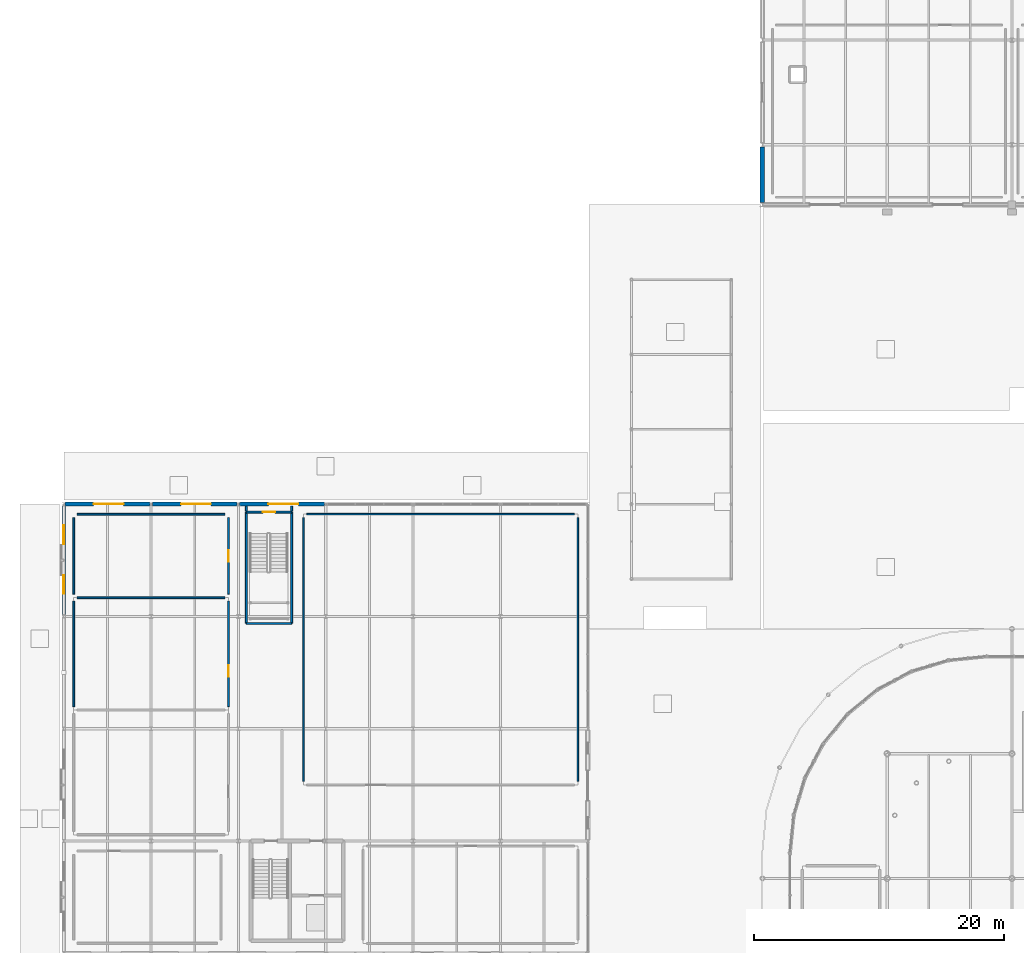
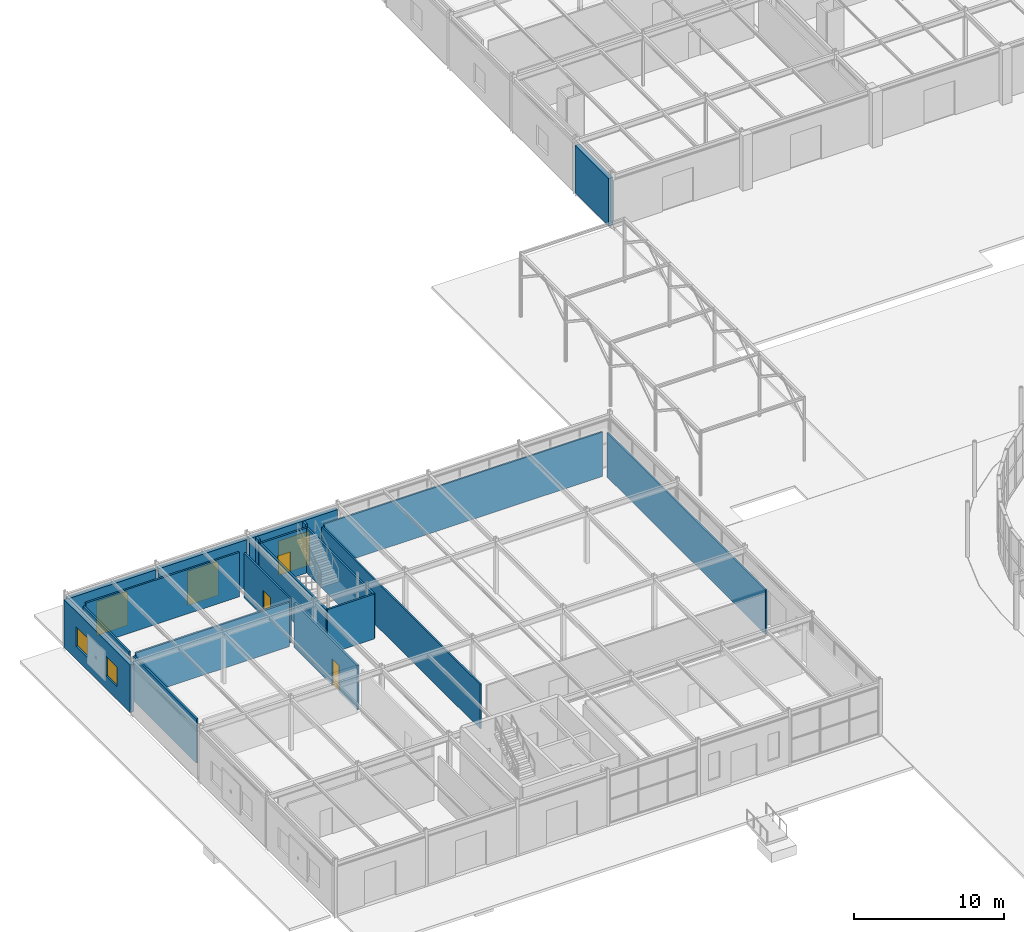
# One storey, part 90 of 119: 20 walls, 6 doors, 2 windows, 8 openings.
"""IFC4 building model written with IfcOpenShell, lengths in metres."""

from ifc_helpers import new_model, si_unit, derived_unit, direction, frame, frame_2d, origin, place, context, subcontext, project, spatial, rectangle, extrude, material, layer, layer_set, type_object, element, fill, save


model = new_model("IFC4")

# Units and contexts
model_context = context("Model", 3, precision=1e-05, world=origin(), true_north=direction((0.0, 1.0)))
body_context = subcontext(model_context, "Body", "Model", "MODEL_VIEW")
ifc_project = project(units=[si_unit("LENGTHUNIT", "METRE"), si_unit("AREAUNIT", "SQUARE_METRE"), si_unit("VOLUMEUNIT", "CUBIC_METRE"), si_unit("PLANEANGLEUNIT", "RADIAN"), si_unit("MASSUNIT", "GRAM", prefix="KILO"), derived_unit("THERMALTRANSMITTANCEUNIT", [(si_unit("POWERUNIT", "WATT"), 1), (si_unit("LENGTHUNIT", "METRE"), -2), (si_unit("THERMODYNAMICTEMPERATUREUNIT", "KELVIN"), -1)])], contexts=[model_context])

# Site, building, storey
site_placement = place(None, origin())
site = spatial("IfcSite", under=ifc_project, at=site_placement, CompositionType="ELEMENT")
building_placement = place(site_placement, origin())
building = spatial("IfcBuilding", under=site, at=building_placement, Name="Cinnabar Yard Market Hall", CompositionType="ELEMENT")
storey_placement = place(building_placement, origin())
storey = spatial("IfcBuildingStorey", under=building, at=storey_placement, Name="L00", CompositionType="ELEMENT", Elevation=0.0)

# Walls
ifc_material_1 = material(Name="Acoustic steel-stud plasterboard", Category="steel")
ifc_layer_1 = layer(ifc_material_1, 0.1201171875)
ifc_layer_set_1 = layer_set([ifc_layer_1], Name="Acoustic steel-stud plasterboard")
wall_type_1 = type_object("IfcWallType", Name="WL-PT120", PredefinedType="PARTITIONING", material=ifc_layer_set_1)
wall_1_placement = place(storey_placement, frame((51.199951171875, 61.780029296875, 0.0), z_axis=(0.0, 0.0, 1.0), x_axis=(0.0, 1.0, 0.0)))
element("IfcWall", 1, at=wall_1_placement, inside=storey, type_object=wall_type_1, Name="Partition Food Court Dining Hall east", PredefinedType="PARTITIONING", context=body_context, shape_type="SweptSolid", body=[
    extrude(rectangle(XDim=21.139892578125, YDim=0.1201171875, at=frame_2d((10.56982421875, 0.0), x_axis=(1.0, 0.0))), origin(), (0.0, 0.0, 1.0), 3.6201171875),
])
wall_2_placement = place(storey_placement, frame((50.919921875, 83.199951171875, 0.0), z_axis=(0.0, 0.0, 1.0), x_axis=(-1.0, 0.0, 0.0)))
element("IfcWall", 2, at=wall_2_placement, inside=storey, type_object=wall_type_1, Name="Partition Food Court Dining Hall north", PredefinedType="PARTITIONING", context=body_context, shape_type="SweptSolid", body=[
    extrude(rectangle(XDim=21.43994140625, YDim=0.1201171875, at=frame_2d((10.719970703125, 0.0), x_axis=(1.0, 0.0))), origin(), (0.0, 0.0, 1.0), 3.6201171875),
])
wall_3_placement = place(storey_placement, frame((29.199951171875, 82.919921875, 0.0), z_axis=(0.0, 0.0, 1.0), x_axis=(0.0, -1.0, 0.0)))
element("IfcWall", 3, at=wall_3_placement, inside=storey, type_object=wall_type_1, Name="Partition Food Court Dining Hall west", PredefinedType="PARTITIONING", context=body_context, shape_type="SweptSolid", body=[
    extrude(rectangle(XDim=21.139892578125, YDim=0.1201171875, at=frame_2d((10.56982421875, 0.0), x_axis=(1.0, 0.0))), origin(), (0.0, 0.0, 1.0), 3.6201171875),
])

# Wall, opening, door
ifc_material_2 = material(Name="Moisture-resistant tiled service wall")
ifc_layer_2 = layer(ifc_material_2, 0.139892578125)
ifc_layer_set_2 = layer_set([ifc_layer_2], Name="Moisture-resistant tiled service wall")
wall_type_2 = type_object("IfcWallType", Name="WL-PT140", PredefinedType="PLUMBINGWALL", material=ifc_layer_set_2)
wall_4_placement = place(storey_placement, frame((23.199951171875, 67.780029296875, 0.0), z_axis=(0.0, 0.0, 1.0), x_axis=(0.0, 1.0, 0.0)))
wall_4 = element("IfcWall", 4, at=wall_4_placement, inside=storey, type_object=wall_type_2, Name="Partition Commercial Kitchen West 02 east", PredefinedType="PLUMBINGWALL", context=body_context, shape_type="SweptSolid", body=[
    extrude(rectangle(XDim=8.43994140625, YDim=0.139892578125, at=frame_2d((4.219970703125, 0.0), x_axis=(1.0, 0.0))), origin(), (0.0, 0.0, 1.0), 3.6201171875),
])
opening_1_placement = place(wall_4_placement, frame((2.406494140625, 0.0, 0.0)))
opening_1 = element("IfcOpeningElement", 5, at=opening_1_placement, cuts=wall_4, Name="Opening ID-127", PredefinedType="OPENING", context=body_context, shape_type="SweptSolid", body=[
    extrude(rectangle(XDim=0.919921875, YDim=2.14990234375, at=frame_2d((0.4599609375, 1.074951171875), x_axis=(1.0, 0.0))), frame((0.0, 0.079833984375, 0.0), z_axis=(0.0, -1.0, 0.0), x_axis=(1.0, 0.0, 0.0)), (0.0, 0.0, 1.0), 0.159912109375),
])
ifc_material_3 = material(Name="Solid-core spotted gum timber", Category="wood")
door_type_1 = type_object("IfcDoorType", Name="DR-D07", OperationType="NOTDEFINED", PredefinedType="DOOR", material=ifc_material_3)
door_1_placement = place(opening_1_placement, origin())
door_1 = element("IfcDoor", 6, at=door_1_placement, inside=storey, type_object=door_type_1, Name="Interior Door ID-127", OperationType="SINGLE_SWING_RIGHT", OverallHeight=2.14990234375, OverallWidth=0.919921875, PredefinedType="DOOR", context=body_context, shape_type="SweptSolid", body=[
    extrude(rectangle(XDim=0.919921875, YDim=2.14990234375, at=frame_2d((0.4599609375, 1.074951171875), x_axis=(1.0, 0.0))), frame((0.0, 0.02490234375, 0.0), z_axis=(0.0, -1.0, 0.0), x_axis=(1.0, 0.0, 0.0)), (0.0, 0.0, 1.0), 0.050048828125),
])
fill(opening_1, door_1)

# Walls
wall_5_placement = place(storey_placement, frame((22.919921875, 76.5, 0.0), z_axis=(0.0, 0.0, 1.0), x_axis=(-1.0, 0.0, 0.0)))
element("IfcWall", 7, at=wall_5_placement, inside=storey, type_object=wall_type_2, Name="Partition Commercial Kitchen West 02 north", PredefinedType="PLUMBINGWALL", context=body_context, shape_type="SweptSolid", body=[
    extrude(rectangle(XDim=11.83984375, YDim=0.139892578125, at=frame_2d((5.919921875, 0.0), x_axis=(1.0, 0.0))), origin(), (0.0, 0.0, 1.0), 3.6201171875),
])
wall_6_placement = place(storey_placement, frame((10.800048828125, 76.219970703125, 0.0), z_axis=(0.0, 0.0, 1.0), x_axis=(0.0, -1.0, 0.0)))
element("IfcWall", 8, at=wall_6_placement, inside=storey, type_object=wall_type_2, Name="Partition Commercial Kitchen West 02 west", PredefinedType="PLUMBINGWALL", context=body_context, shape_type="SweptSolid", body=[
    extrude(rectangle(XDim=8.43994140625, YDim=0.139892578125, at=frame_2d((4.219970703125, 0.0), x_axis=(1.0, 0.0))), origin(), (0.0, 0.0, 1.0), 3.6201171875),
])

# Wall, opening, door
wall_7_placement = place(storey_placement, frame((23.199951171875, 76.780029296875, 0.0), z_axis=(0.0, 0.0, 1.0), x_axis=(0.0, 1.0, 0.0)))
wall_7 = element("IfcWall", 9, at=wall_7_placement, inside=storey, type_object=wall_type_2, Name="Partition Central Scullery and Dishwash Room east", PredefinedType="PLUMBINGWALL", context=body_context, shape_type="SweptSolid", body=[
    extrude(rectangle(XDim=6.139892578125, YDim=0.139892578125, at=frame_2d((3.06982421875, 0.0), x_axis=(1.0, 0.0))), origin(), (0.0, 0.0, 1.0), 3.6201171875),
])
opening_2_placement = place(wall_7_placement, frame((2.594970703125, 0.0, 0.0)))
opening_2 = element("IfcOpeningElement", 10, at=opening_2_placement, cuts=wall_7, Name="Opening ID-128", PredefinedType="OPENING", context=body_context, shape_type="SweptSolid", body=[
    extrude(rectangle(XDim=0.949951171875, YDim=2.14990234375, at=frame_2d((0.47509765625, 1.074951171875), x_axis=(1.0, 0.0))), frame((0.0, 0.079833984375, 0.0), z_axis=(0.0, -1.0, 0.0), x_axis=(1.0, 0.0, 0.0)), (0.0, 0.0, 1.0), 0.159912109375),
])
door_type_2 = type_object("IfcDoorType", Name="DR-D06", OperationType="NOTDEFINED", PredefinedType="DOOR", material=ifc_material_3)
door_2_placement = place(opening_2_placement, origin())
door_2 = element("IfcDoor", 11, at=door_2_placement, inside=storey, type_object=door_type_2, Name="Interior Door ID-128", OperationType="SINGLE_SWING_LEFT", OverallHeight=2.14990234375, OverallWidth=0.949951171875, PredefinedType="DOOR", context=body_context, shape_type="SweptSolid", body=[
    extrude(rectangle(XDim=0.949951171875, YDim=2.14990234375, at=frame_2d((0.47509765625, 1.074951171875), x_axis=(1.0, 0.0))), frame((0.0, 0.02490234375, 0.0), z_axis=(0.0, -1.0, 0.0), x_axis=(1.0, 0.0, 0.0)), (0.0, 0.0, 1.0), 0.050048828125),
])
fill(opening_2, door_2)

# Walls
wall_8_placement = place(storey_placement, frame((22.919921875, 83.199951171875, 0.0), z_axis=(0.0, 0.0, 1.0), x_axis=(-1.0, 0.0, 0.0)))
element("IfcWall", 12, at=wall_8_placement, inside=storey, type_object=wall_type_2, Name="Partition Central Scullery and Dishwash Room north", PredefinedType="PLUMBINGWALL", context=body_context, shape_type="SweptSolid", body=[
    extrude(rectangle(XDim=11.83984375, YDim=0.139892578125, at=frame_2d((5.919921875, 0.0), x_axis=(1.0, 0.0))), origin(), (0.0, 0.0, 1.0), 3.6201171875),
])
wall_9_placement = place(storey_placement, frame((10.800048828125, 82.919921875, 0.0), z_axis=(0.0, 0.0, 1.0), x_axis=(0.0, -1.0, 0.0)))
element("IfcWall", 13, at=wall_9_placement, inside=storey, type_object=wall_type_2, Name="Partition Central Scullery and Dishwash Room west", PredefinedType="PLUMBINGWALL", context=body_context, shape_type="SweptSolid", body=[
    extrude(rectangle(XDim=6.139892578125, YDim=0.139892578125, at=frame_2d((3.06982421875, 0.0), x_axis=(1.0, 0.0))), origin(), (0.0, 0.0, 1.0), 3.6201171875),
])
ifc_material_4 = material(Name="Fire-rated steel-stud plasterboard", Category="steel")
ifc_layer_3 = layer(ifc_material_4, 0.14990234375)
ifc_layer_set_3 = layer_set([ifc_layer_3], Name="Fire-rated steel-stud plasterboard")
wall_type_3 = type_object("IfcWallType", Name="WL-PT150", PredefinedType="PARTITIONING", material=ifc_layer_set_3)
for number, where, z_axis, x_axis, name in (
    (14, (24.639892578125, 83.360107421875, 0.0), (0.0, 0.0, 1.0), (0.0, -1.0, 0.0), "Stair ST-F3 Shaft Wall W L00"),
    (15, (28.260009765625, 74.43994140625, 0.0), (0.0, 0.0, 1.0), (0.0, 1.0, 0.0), "Stair ST-F3 Shaft Wall E L00"),
):
    element("IfcWall", number, at=place(storey_placement, frame(where, z_axis=z_axis, x_axis=x_axis)), inside=storey, type_object=wall_type_3, Name=name, PredefinedType="PARTITIONING", context=body_context, shape_type="SweptSolid", body=[
        extrude(rectangle(XDim=8.920166015625, YDim=0.14990234375, at=frame_2d((4.4599609375, 0.0), x_axis=(1.0, 0.0))), origin(), (0.0, 0.0, 1.0), 3.659912109375),
    ])
wall_10_placement = place(storey_placement, frame((24.639892578125, 74.43994140625, 0.0), z_axis=(0.0, 0.0, 1.0), x_axis=(1.0, 0.0, 0.0)))
element("IfcWall", 16, at=wall_10_placement, inside=storey, type_object=wall_type_3, Name="Stair ST-F3 Shaft Wall S L00", PredefinedType="PARTITIONING", context=body_context, shape_type="SweptSolid", body=[
    extrude(rectangle(XDim=3.6201171875, YDim=0.14990234375, at=frame_2d((1.81005859375, 0.0), x_axis=(1.0, 0.0))), origin(), (0.0, 0.0, 1.0), 3.659912109375),
])

# Wall, opening, door
wall_11_placement = place(storey_placement, frame((28.260009765625, 83.360107421875, 0.0), z_axis=(0.0, 0.0, 1.0), x_axis=(-1.0, 0.0, 0.0)))
wall_11 = element("IfcWall", 17, at=wall_11_placement, inside=storey, type_object=wall_type_3, Name="Stair ST-F3 Shaft Wall N L00", PredefinedType="PARTITIONING", context=body_context, shape_type="SweptSolid", body=[
    extrude(rectangle(XDim=3.6201171875, YDim=0.14990234375, at=frame_2d((1.81005859375, 0.0), x_axis=(1.0, 0.0))), origin(), (0.0, 0.0, 1.0), 3.659912109375),
])
opening_3_placement = place(wall_11_placement, frame((1.31005859375, 0.0, 0.0)))
opening_3 = element("IfcOpeningElement", 18, at=opening_3_placement, cuts=wall_11, Name="Opening CD-071", PredefinedType="OPENING", context=body_context, shape_type="SweptSolid", body=[
    extrude(rectangle(XDim=1.0, YDim=2.14990234375, at=frame_2d((0.5, 1.074951171875), x_axis=(1.0, 0.0))), frame((0.0, 0.0849609375, 0.0), z_axis=(0.0, -1.0, 0.0), x_axis=(1.0, 0.0, 0.0)), (0.0, 0.0, 1.0), 0.169921875),
])
door_type_3 = type_object("IfcDoorType", Name="DR-D05", OperationType="NOTDEFINED", PredefinedType="DOOR", material=ifc_material_3)
door_3_placement = place(opening_3_placement, origin())
door_3 = element("IfcDoor", 19, at=door_3_placement, inside=storey, type_object=door_type_3, Name="Stair Door CD-071", OperationType="SINGLE_SWING_LEFT", OverallHeight=2.14990234375, OverallWidth=1.0, PredefinedType="DOOR", context=body_context, shape_type="SweptSolid", body=[
    extrude(rectangle(XDim=1.0, YDim=2.14990234375, at=frame_2d((0.5, 1.074951171875), x_axis=(1.0, 0.0))), frame((0.0, 0.02490234375, 0.0), z_axis=(0.0, -1.0, 0.0), x_axis=(1.0, 0.0, 0.0)), (0.0, 0.0, 1.0), 0.050048828125),
])
fill(opening_3, door_3)

# Walls
for number, where, z_axis, x_axis, name in (
    (20, (24.639892578125, 83.840087890625, 0.0), (0.0, 0.0, 1.0), (0.0, -1.0, 0.0), "Protected Exit Lobby STF3 W"),
    (21, (28.260009765625, 83.43994140625, 0.0), (0.0, 0.0, 1.0), (0.0, 1.0, 0.0), "Protected Exit Lobby STF3 E"),
):
    element("IfcWall", number, at=place(storey_placement, frame(where, z_axis=z_axis, x_axis=x_axis)), inside=storey, type_object=wall_type_3, Name=name, PredefinedType="PARTITIONING", context=body_context, shape_type="SweptSolid", body=[
        extrude(rectangle(XDim=0.400146484375, YDim=0.14990234375, at=frame_2d((0.2001953125, 0.0), x_axis=(1.0, 0.0))), origin(), (0.0, 0.0, 1.0), 3.860107421875),
    ])
ifc_material_5 = material(Name="Red sandstone ashlar over Concrete 32 MPa", Category="masonry")
ifc_layer_4 = layer(ifc_material_5, 0.35009765625)
ifc_layer_set_4 = layer_set([ifc_layer_4], Name="Red sandstone ashlar over Concrete 32 MPa")
wall_type_4 = type_object("IfcWallType", Name="WL-W-EXT1", PredefinedType="SOLIDWALL", material=ifc_layer_set_4)
wall_12_placement = place(storey_placement, frame((66.0, 112.6357421875, 0.0), z_axis=(0.0, 0.0, 1.0), x_axis=(0.0, -1.0, 0.0)))
element("IfcWall", 22, at=wall_12_placement, inside=storey, type_object=wall_type_4, Name="Wing West End Wall L00 Seg 1", PredefinedType="SOLIDWALL", context=body_context, shape_type="SweptSolid", body=[
    extrude(rectangle(XDim=4.4658203125, YDim=0.35009765625, at=frame_2d((2.23291015625, 0.0), x_axis=(1.0, 0.0))), origin(), (0.0, 0.0, 1.0), 3.8798828125),
])

# Wall, opening, door
ifc_material_6 = material(Name="Cream limestone and Concrete 32 MPa", Category="masonry")
ifc_layer_5 = layer(ifc_material_6, 0.320068359375)
ifc_layer_set_5 = layer_set([ifc_layer_5], Name="Cream limestone and Concrete 32 MPa")
wall_type_5 = type_object("IfcWallType", Name="WL-W-EXT2", PredefinedType="SOLIDWALL", material=ifc_layer_set_5)
wall_13_placement = place(storey_placement, frame((16.89990234375, 84.0, 0.0), z_axis=(0.0, 0.0, 1.0), x_axis=(-1.0, 0.0, 0.0)))
wall_13 = element("IfcWall", 23, at=wall_13_placement, inside=storey, type_object=wall_type_5, Name="Pavilion North Wall L00 Bay 1", PredefinedType="SOLIDWALL", context=body_context, shape_type="SweptSolid", body=[
    extrude(rectangle(XDim=6.7998046875, YDim=0.320068359375, at=frame_2d((3.39990234375, 0.0), x_axis=(1.0, 0.0))), origin(), (0.0, 0.0, 1.0), 3.8798828125),
])
opening_4_placement = place(wall_13_placement, frame((2.10009765625, 0.0, 0.0)))
opening_4 = element("IfcOpeningElement", 24, at=opening_4_placement, cuts=wall_13, Name="Opening ED-014", PredefinedType="OPENING", context=body_context, shape_type="SweptSolid", body=[
    extrude(rectangle(XDim=2.39990234375, YDim=2.800048828125, at=frame_2d((1.199951171875, 1.39990234375), x_axis=(1.0, 0.0))), frame((0.0, 0.169921875, 0.0), z_axis=(0.0, -1.0, 0.0), x_axis=(1.0, 0.0, 0.0)), (0.0, 0.0, 1.0), 0.340087890625),
])
ifc_material_7 = material(Name="Anodised bronze aluminium and toughened glass", Category="aluminium")
door_type_4 = type_object("IfcDoorType", Name="DR-D02", OperationType="NOTDEFINED", PredefinedType="DOOR", material=ifc_material_7)
door_4_placement = place(opening_4_placement, origin())
door_4 = element("IfcDoor", 25, at=door_4_placement, inside=storey, type_object=door_type_4, Name="Door ED-014", OperationType="DOUBLE_SWING_RIGHT", OverallHeight=2.800048828125, OverallWidth=2.39990234375, PredefinedType="DOOR", context=body_context, shape_type="SweptSolid", body=[
    extrude(rectangle(XDim=2.39990234375, YDim=2.800048828125, at=frame_2d((1.199951171875, 1.39990234375), x_axis=(1.0, 0.0))), frame((0.0, 0.02490234375, 0.0), z_axis=(0.0, -1.0, 0.0), x_axis=(1.0, 0.0, 0.0)), (0.0, 0.0, 1.0), 0.050048828125),
])
fill(opening_4, door_4)

wall_14_placement = place(storey_placement, frame((23.89990234375, 84.0, 0.0), z_axis=(0.0, 0.0, 1.0), x_axis=(-1.0, 0.0, 0.0)))
wall_14 = element("IfcWall", 26, at=wall_14_placement, inside=storey, type_object=wall_type_5, Name="Pavilion North Wall L00 Bay 2", PredefinedType="SOLIDWALL", context=body_context, shape_type="SweptSolid", body=[
    extrude(rectangle(XDim=6.7998046875, YDim=0.320068359375, at=frame_2d((3.39990234375, 0.0), x_axis=(1.0, 0.0))), origin(), (0.0, 0.0, 1.0), 3.8798828125),
])
opening_5_placement = place(wall_14_placement, frame((2.10009765625, 0.0, 0.0)))
opening_5 = element("IfcOpeningElement", 27, at=opening_5_placement, cuts=wall_14, Name="Opening ED-016", PredefinedType="OPENING", context=body_context, shape_type="SweptSolid", body=[
    extrude(rectangle(XDim=2.39990234375, YDim=2.800048828125, at=frame_2d((1.199951171875, 1.39990234375), x_axis=(1.0, 0.0))), frame((0.0, 0.169921875, 0.0), z_axis=(0.0, -1.0, 0.0), x_axis=(1.0, 0.0, 0.0)), (0.0, 0.0, 1.0), 0.340087890625),
])
door_5_placement = place(opening_5_placement, origin())
door_5 = element("IfcDoor", 28, at=door_5_placement, inside=storey, type_object=door_type_4, Name="Door ED-016", OperationType="DOUBLE_SWING_RIGHT", OverallHeight=2.800048828125, OverallWidth=2.39990234375, PredefinedType="DOOR", context=body_context, shape_type="SweptSolid", body=[
    extrude(rectangle(XDim=2.39990234375, YDim=2.800048828125, at=frame_2d((1.199951171875, 1.39990234375), x_axis=(1.0, 0.0))), frame((0.0, 0.02490234375, 0.0), z_axis=(0.0, -1.0, 0.0), x_axis=(1.0, 0.0, 0.0)), (0.0, 0.0, 1.0), 0.050048828125),
])
fill(opening_5, door_5)

wall_15_placement = place(storey_placement, frame((30.89990234375, 84.0, 0.0), z_axis=(0.0, 0.0, 1.0), x_axis=(-1.0, 0.0, 0.0)))
wall_15 = element("IfcWall", 29, at=wall_15_placement, inside=storey, type_object=wall_type_5, Name="Pavilion North Wall L00 Bay 3", PredefinedType="SOLIDWALL", context=body_context, shape_type="SweptSolid", body=[
    extrude(rectangle(XDim=6.7998046875, YDim=0.320068359375, at=frame_2d((3.39990234375, 0.0), x_axis=(1.0, 0.0))), origin(), (0.0, 0.0, 1.0), 3.8798828125),
])
opening_6_placement = place(wall_15_placement, frame((2.10009765625, 0.0, 0.0)))
opening_6 = element("IfcOpeningElement", 30, at=opening_6_placement, cuts=wall_15, Name="Opening ED-018", PredefinedType="OPENING", context=body_context, shape_type="SweptSolid", body=[
    extrude(rectangle(XDim=2.39990234375, YDim=2.800048828125, at=frame_2d((1.199951171875, 1.39990234375), x_axis=(1.0, 0.0))), frame((0.0, 0.169921875, 0.0), z_axis=(0.0, -1.0, 0.0), x_axis=(1.0, 0.0, 0.0)), (0.0, 0.0, 1.0), 0.340087890625),
])
door_6_placement = place(opening_6_placement, origin())
door_6 = element("IfcDoor", 31, at=door_6_placement, inside=storey, type_object=door_type_4, Name="Door ED-018", OperationType="DOUBLE_SWING_RIGHT", OverallHeight=2.800048828125, OverallWidth=2.39990234375, PredefinedType="DOOR", context=body_context, shape_type="SweptSolid", body=[
    extrude(rectangle(XDim=2.39990234375, YDim=2.800048828125, at=frame_2d((1.199951171875, 1.39990234375), x_axis=(1.0, 0.0))), frame((0.0, 0.02490234375, 0.0), z_axis=(0.0, -1.0, 0.0), x_axis=(1.0, 0.0, 0.0)), (0.0, 0.0, 1.0), 0.050048828125),
])
fill(opening_6, door_6)

# Wall, openings, windows
wall_16_placement = place(storey_placement, frame((10.0, 83.89990234375, 0.0), z_axis=(0.0, 0.0, 1.0), x_axis=(0.0, -1.0, 0.0)))
wall_16 = element("IfcWall", 32, at=wall_16_placement, inside=storey, type_object=wall_type_5, Name="Pavilion West Wall L00 Bay 4", PredefinedType="SOLIDWALL", context=body_context, shape_type="SweptSolid", body=[
    extrude(rectangle(XDim=8.7998046875, YDim=0.320068359375, at=frame_2d((4.39990234375, 0.0), x_axis=(1.0, 0.0))), origin(), (0.0, 0.0, 1.0), 3.8798828125),
])
opening_7_placement = place(wall_16_placement, frame((1.60009765625, 0.0, 1.050048828125)))
opening_7 = element("IfcOpeningElement", 33, at=opening_7_placement, cuts=wall_16, Name="Opening W03", PredefinedType="OPENING", context=body_context, shape_type="SweptSolid", body=[
    extrude(rectangle(XDim=1.5, YDim=1.60009765625, at=frame_2d((0.75, 0.800048828125), x_axis=(1.0, 0.0))), frame((0.0, 0.169921875, 0.0), z_axis=(0.0, -1.0, 0.0), x_axis=(1.0, 0.0, 0.0)), (0.0, 0.0, 1.0), 0.340087890625),
])
opening_8_placement = place(wall_16_placement, frame((5.580078125, 0.0, 1.050048828125)))
opening_8 = element("IfcOpeningElement", 34, at=opening_8_placement, cuts=wall_16, Name="Opening W03", PredefinedType="OPENING", context=body_context, shape_type="SweptSolid", body=[
    extrude(rectangle(XDim=1.5, YDim=1.60009765625, at=frame_2d((0.75, 0.800048828125), x_axis=(1.0, 0.0))), frame((0.0, 0.169921875, 0.0), z_axis=(0.0, -1.0, 0.0), x_axis=(1.0, 0.0, 0.0)), (0.0, 0.0, 1.0), 0.340087890625),
])
ifc_material_8 = material(Name="Low-E double glazing in bronze aluminium", Category="aluminium")
window_type = type_object("IfcWindowType", Name="WN-W03", PartitioningType="SINGLE_PANEL", PredefinedType="WINDOW", material=ifc_material_8)
window_1_placement = place(opening_7_placement, origin())
window_1 = element("IfcWindow", 35, at=window_1_placement, inside=storey, type_object=window_type, Name="Window WN-V2W-L00-4A", OverallHeight=1.60009765625, OverallWidth=1.5, PartitioningType="SINGLE_PANEL", PredefinedType="WINDOW", context=body_context, shape_type="SweptSolid", body=[
    extrude(rectangle(XDim=1.5, YDim=1.60009765625, at=frame_2d((0.75, 0.800048828125), x_axis=(1.0, 0.0))), frame((0.0, 0.030029296875, 0.0), z_axis=(0.0, -1.0, 0.0), x_axis=(1.0, 0.0, 0.0)), (0.0, 0.0, 1.0), 0.06005859375),
])
fill(opening_7, window_1)
window_2_placement = place(opening_8_placement, origin())
window_2 = element("IfcWindow", 36, at=window_2_placement, inside=storey, type_object=window_type, Name="Window WN-V2W-L00-4B", OverallHeight=1.60009765625, OverallWidth=1.5, PartitioningType="SINGLE_PANEL", PredefinedType="WINDOW", context=body_context, shape_type="SweptSolid", body=[
    extrude(rectangle(XDim=1.5, YDim=1.60009765625, at=frame_2d((0.75, 0.800048828125), x_axis=(1.0, 0.0))), frame((0.0, 0.030029296875, 0.0), z_axis=(0.0, -1.0, 0.0), x_axis=(1.0, 0.0, 0.0)), (0.0, 0.0, 1.0), 0.06005859375),
])
fill(opening_8, window_2)

save(model, "model.ifc")
